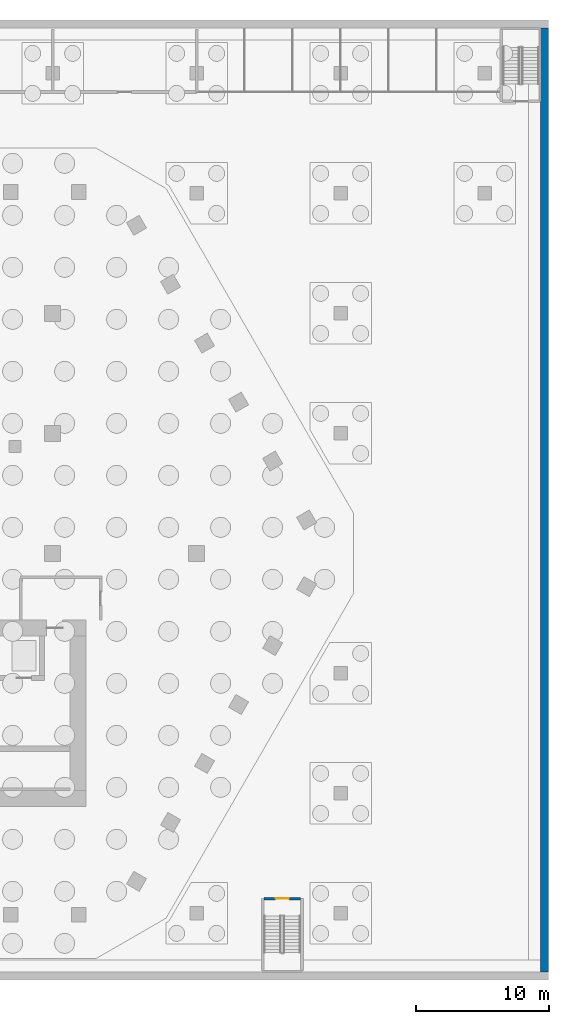
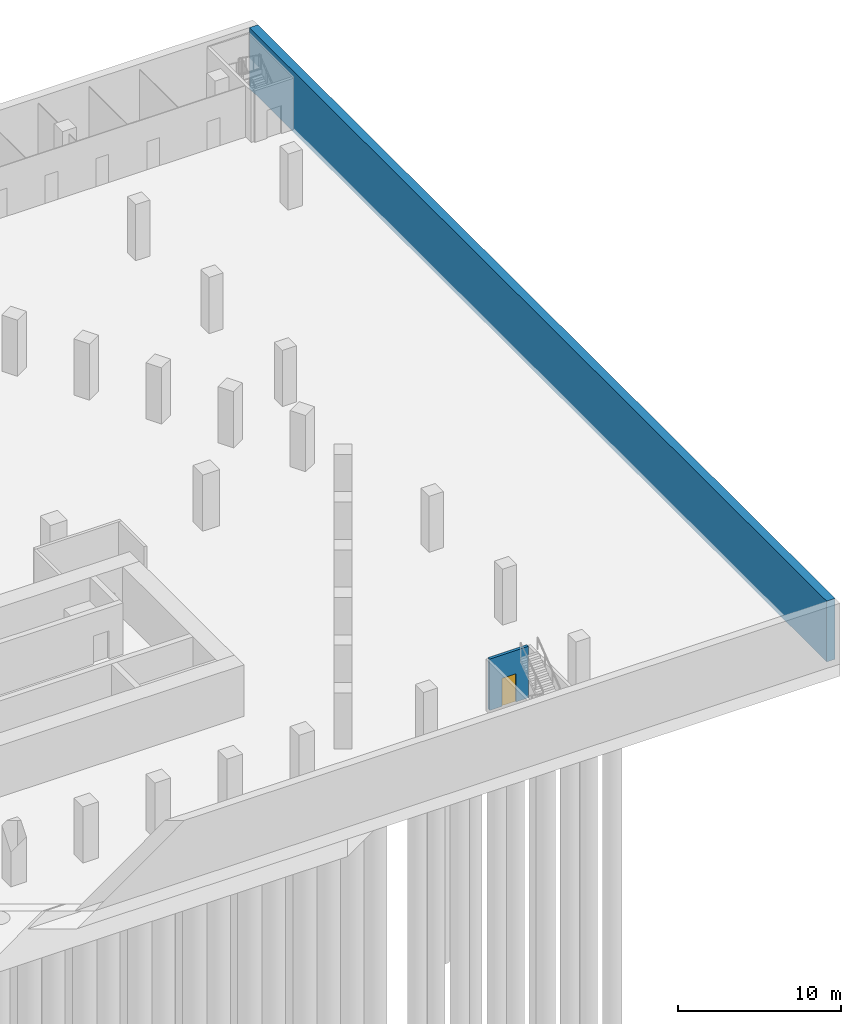
# One storey, part 8 of 21: 2 walls, 1 door, 1 opening.
"""IFC4 building model written with IfcOpenShell, lengths in metres."""

from ifc_helpers import new_model, si_unit, direction, frame, frame_2d, origin, place, context, subcontext, project, spatial, rectangle, extrude, material, layer, layer_set, type_object, element, fill, save


model = new_model("IFC4")

# Units and contexts
model_context = context("Model", 3, precision=1e-05, world=origin(), true_north=direction((0.0, 1.0)))
body_context = subcontext(model_context, "Body", "Model", "MODEL_VIEW")
ifc_project = project(units=[si_unit("LENGTHUNIT", "METRE"), si_unit("AREAUNIT", "SQUARE_METRE"), si_unit("VOLUMEUNIT", "CUBIC_METRE"), si_unit("PLANEANGLEUNIT", "RADIAN"), si_unit("MASSUNIT", "GRAM", prefix="KILO")], contexts=[model_context])

# Site, building, storey
site_placement = place(None, origin())
site = spatial("IfcSite", under=ifc_project, at=site_placement, CompositionType="ELEMENT")
building_placement = place(site_placement, origin())
building = spatial("IfcBuilding", under=site, at=building_placement, Name="Beryl Residences", CompositionType="ELEMENT")
storey_placement = place(building_placement, frame((0.0, 0.0, -8.39990234375)))
storey = spatial("IfcBuildingStorey", under=building, at=storey_placement, Name="B2", CompositionType="ELEMENT", Elevation=-8.39990234375)

# Wall, opening, door
ifc_material_1 = material(Name="Concrete C40/50", Category="concrete")
ifc_layer_1 = layer(ifc_material_1, 0.199951171875)
ifc_layer_set_1 = layer_set([ifc_layer_1], Name="PT5 stair enclosure wall 200 mm reinforced concrete C40/50")
wall_type_1 = type_object("IfcWallType", Name="PT5 stair enclosure wall 200 mm reinforced concrete C40/50", PredefinedType="SOLIDWALL", material=ifc_layer_set_1)
wall_1_placement = place(storey_placement, frame((26.64990234375, -25.89990234375, 0.0), z_axis=(0.0, 0.0, 1.0), x_axis=(1.0, 0.0, 0.0)))
wall_1 = element("IfcWall", 1, at=wall_1_placement, inside=storey, type_object=wall_type_1, Name="Wall PT5 B2 003", PredefinedType="SOLIDWALL", context=body_context, shape_type="SweptSolid", body=[
    extrude(rectangle(XDim=2.75, YDim=0.199951171875, at=frame_2d((1.375, 0.0))), origin(), (0.0, 0.0, 1.0), 3.849853515625),
])
opening_placement = place(wall_1_placement, frame((1.875, 0.0, 0.0), z_axis=(0.0, 0.0, 1.0), x_axis=(-1.0, 0.0, 0.0)))
opening = element("IfcOpeningElement", 2, at=opening_placement, cuts=wall_1, Name="Opening B2-06", PredefinedType="OPENING", context=body_context, shape_type="SweptSolid", body=[
    extrude(rectangle(XDim=1.0, YDim=2.10009765625, at=frame_2d((0.5, 1.050048828125))), frame((0.0, 0.10986328125, 0.0), z_axis=(0.0, -1.0, 0.0), x_axis=(1.0, 0.0, 0.0)), (0.0, 0.0, 1.0), 0.219970703125),
])
ifc_material_2 = material(Name="Steel door leaf in steel frame", Category="steel")
door_type = type_object("IfcDoorType", Name="D15 stair door 1000 x 2100 mm", OperationType="SINGLE_SWING_LEFT", PredefinedType="DOOR", material=ifc_material_2)
door_placement = place(opening_placement, origin())
door = element("IfcDoor", 3, at=door_placement, inside=storey, type_object=door_type, Name="Door B2-06 B2 001", OperationType="SINGLE_SWING_LEFT", OverallHeight=2.10009765625, OverallWidth=1.0, PredefinedType="DOOR", context=body_context, shape_type="SweptSolid", body=[
    extrude(rectangle(XDim=1.0, YDim=2.10009765625, at=frame_2d((0.5, 1.050048828125))), frame((0.0, 0.02490234375, 0.0), z_axis=(0.0, -1.0, 0.0), x_axis=(1.0, 0.0, 0.0)), (0.0, 0.0, 1.0), 0.050048828125),
])
fill(opening, door)

# Wall
ifc_material_3 = material(Name="Concrete C50/60", Category="concrete")
ifc_layer_2 = layer(ifc_material_3, 0.60009765625)
ifc_layer_set_2 = layer_set([ifc_layer_2], Name="RW1 basement wall 600 mm C50/60")
wall_type_2 = type_object("IfcWallType", Name="RW1 basement wall 600 mm C50/60", PredefinedType="SOLIDWALL", material=ifc_layer_set_2)
wall_2_placement = place(storey_placement, frame((47.699951171875, -31.39990234375, -0.35009765625), z_axis=(0.0, 0.0, 1.0), x_axis=(0.0, 1.0, 0.0)))
element("IfcWall", 4, at=wall_2_placement, inside=storey, type_object=wall_type_2, Name="RW1 B2 E", PredefinedType="SOLIDWALL", context=body_context, shape_type="SweptSolid", body=[
    extrude(rectangle(XDim=70.7998046875, YDim=0.60009765625, at=frame_2d((35.39990234375, 0.0))), origin(), (0.0, 0.0, 1.0), 4.550048828125),
])

save(model, "model.ifc")
